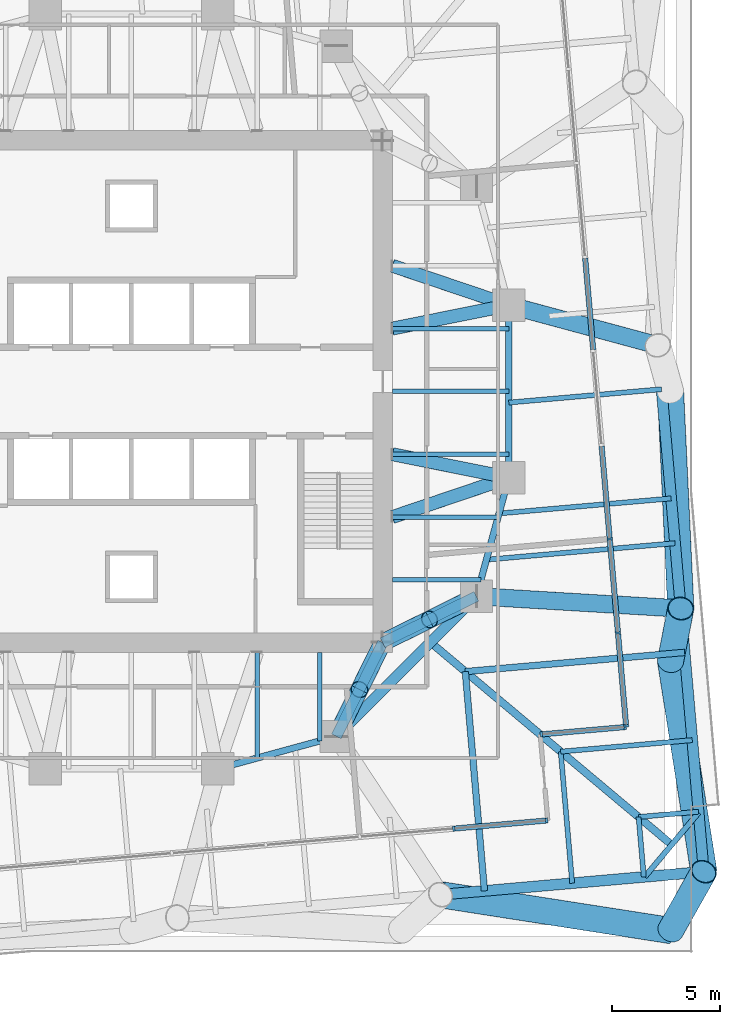
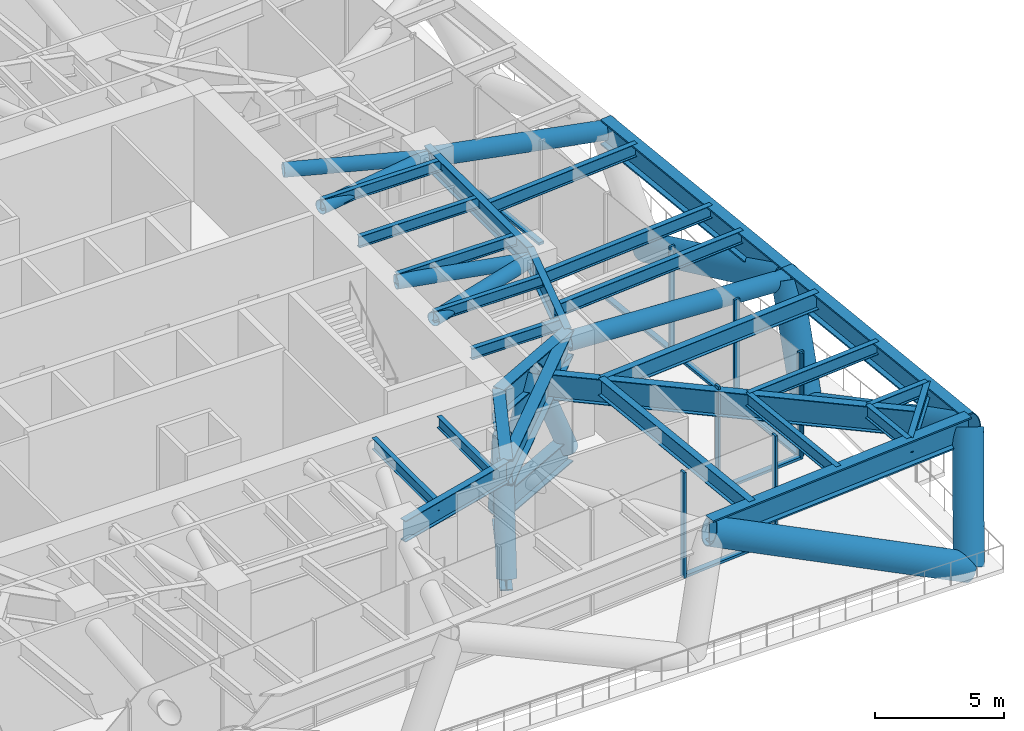
# One storey, part 4 of 14: 32 members, 25 beams, 3 elements without a shape of their own.
"""IFC4 building model written with IfcOpenShell, lengths in metres."""

from ifc_helpers import new_model, si_unit, direction, frame, origin, origin_2d, place, context, subcontext, project, spatial, rectangle, hollow_circle, i_section, extrude, material, material_profile, profile_set, type_object, element, aggregate, save


model = new_model("IFC4")

# Units and contexts
model_context = context("Model", 3, precision=1e-05, world=origin(), true_north=direction((0.0, 1.0)))
body_context = subcontext(model_context, "Body", "Model", "MODEL_VIEW")
ifc_project = project(units=[si_unit("LENGTHUNIT", "METRE"), si_unit("AREAUNIT", "SQUARE_METRE"), si_unit("VOLUMEUNIT", "CUBIC_METRE"), si_unit("PLANEANGLEUNIT", "RADIAN"), si_unit("MASSUNIT", "GRAM", prefix="KILO")], contexts=[model_context])

# Site, building, storey
site_placement = place(None, origin())
site = spatial("IfcSite", under=ifc_project, at=site_placement, CompositionType="ELEMENT")
building_placement = place(site_placement, origin())
building = spatial("IfcBuilding", under=site, at=building_placement, Name="Torsade Residences", CompositionType="ELEMENT")
storey_placement = place(building_placement, frame((0.0, 0.0, 42.199951171875)))
storey = spatial("IfcBuildingStorey", under=building, at=storey_placement, Name="L11", CompositionType="ELEMENT", Elevation=42.199951171875)

# Beams
ifc_material_1 = material(Name="Steel grade 300", Category="steel")
ifc_material_profile_1 = material_profile(ifc_material_1, i_section(OverallWidth=0.35009765625, OverallDepth=1.199951171875, WebThickness=0.01611328125, FlangeThickness=0.028076171875, at=origin_2d()), Name="1200WB278")
ifc_profile_set_1 = profile_set([ifc_material_profile_1], Name="Steel grade 300")
beam_type_1 = type_object("IfcBeamType", Name="CORNER GIRDER 1200WB278", PredefinedType="BEAM", material=ifc_profile_set_1)
beam_1_placement = place(storey_placement, frame((65.052490234375, 8.978515625, 4.25), z_axis=(-0.766046281307, 0.642785419012, 0.0), x_axis=(-0.642785419012, -0.766046281307, 0.0)))
element("IfcBeam", 1, at=beam_1_placement, inside=storey, type_object=beam_type_1, Name="Corner girder 05 L12", PredefinedType="BEAM", context=body_context, shape_type="SweptSolid", body=[
    extrude(i_section(OverallWidth=0.35009765625, OverallDepth=1.199951171875, WebThickness=0.01611328125, FlangeThickness=0.028076171875, at=origin_2d()), origin(), (0.0, 0.0, 1.0), 14.603515625),
])
ifc_material_2 = material(Name="Steel grade 300", Category="steel")
ifc_material_profile_2 = material_profile(ifc_material_2, i_section(OverallWidth=0.25, OverallDepth=0.699951171875, WebThickness=0.010009765625, FlangeThickness=0.02001953125, at=origin_2d()), Name="700WB130")
ifc_profile_set_2 = profile_set([ifc_material_profile_2], Name="Steel grade 300")
beam_type_2 = type_object("IfcBeamType", Name="CORNER TRIMMER 700WB130", PredefinedType="BEAM", material=ifc_profile_set_2)
beam_2_placement = place(storey_placement, frame((66.302490234375, 10.468017578125, 4.5), z_axis=(-0.642804819911, -0.766030001697, 0.0), x_axis=(0.766030001697, -0.642804819911, 0.0)))
element("IfcBeam", 2, at=beam_2_placement, inside=storey, type_object=beam_type_2, Name="Corner trimmer 05 L12", PredefinedType="BEAM", context=body_context, shape_type="SweptSolid", body=[
    extrude(i_section(OverallWidth=0.25, OverallDepth=0.699951171875, WebThickness=0.010009765625, FlangeThickness=0.02001953125, at=origin_2d()), origin(), (0.0, 0.0, 1.0), 3.88916015625),
])
ifc_material_3 = material(Name="Steel grade 300", Category="steel")
ifc_material_profile_3 = material_profile(ifc_material_3, i_section(OverallWidth=0.208984375, OverallDepth=0.528076171875, WebThickness=0.009521484375, FlangeThickness=0.01318359375, FilletRadius=0.013916015625, at=origin_2d()), Name="530UB82.0")
ifc_profile_set_3 = profile_set([ifc_material_profile_3], Name="Steel grade 300")
beam_type_3 = type_object("IfcBeamType", Name="INNER FLOOR BEAM 530UB82.0", PredefinedType="JOIST", material=ifc_profile_set_3)
beam_3_placement = place(storey_placement, frame((48.737548828125, 17.89990234375, 4.5859375), z_axis=(0.0, -1.0, 0.0), x_axis=(1.0, 0.0, 0.0)))
element("IfcBeam", 3, at=beam_3_placement, inside=storey, type_object=beam_type_3, Name="Inner floor beam IS01 L12", PredefinedType="JOIST", context=body_context, shape_type="SweptSolid", body=[
    extrude(i_section(OverallWidth=0.208984375, OverallDepth=0.528076171875, WebThickness=0.009521484375, FlangeThickness=0.01318359375, FilletRadius=0.013916015625, at=origin_2d()), origin(), (0.0, 0.0, 1.0), 4.10791015625),
])
beam_4_placement = place(storey_placement, frame((45.824951171875, 17.89990234375, 4.5859375), z_axis=(0.0, -1.0, 0.0), x_axis=(1.0, 0.0, 0.0)))
element("IfcBeam", 4, at=beam_4_placement, inside=storey, type_object=beam_type_3, Name="Inner floor beam IS02 L12", PredefinedType="JOIST", context=body_context, shape_type="SweptSolid", body=[
    extrude(i_section(OverallWidth=0.208984375, OverallDepth=0.528076171875, WebThickness=0.009521484375, FlangeThickness=0.01318359375, FilletRadius=0.013916015625, at=origin_2d()), origin(), (0.0, 0.0, 1.0), 4.902099609375),
])
beam_5_placement = place(storey_placement, frame((52.10009765625, 21.262451171875, 4.5859375), z_axis=(1.0, 0.0, 0.0), x_axis=(0.0, 1.0, 0.0)))
element("IfcBeam", 5, at=beam_5_placement, inside=storey, type_object=beam_type_3, Name="Inner floor beam IE01 L12", PredefinedType="JOIST", context=body_context, shape_type="SweptSolid", body=[
    extrude(i_section(OverallWidth=0.208984375, OverallDepth=0.528076171875, WebThickness=0.009521484375, FlangeThickness=0.01318359375, FilletRadius=0.013916015625, at=origin_2d()), origin(), (0.0, 0.0, 1.0), 4.10791015625),
])
beam_6_placement = place(storey_placement, frame((52.10009765625, 24.175048828125, 4.5859375), z_axis=(1.0, 0.0, 0.0), x_axis=(0.0, 1.0, 0.0)))
element("IfcBeam", 6, at=beam_6_placement, inside=storey, type_object=beam_type_3, Name="Inner floor beam IE02 L12", PredefinedType="JOIST", context=body_context, shape_type="SweptSolid", body=[
    extrude(i_section(OverallWidth=0.208984375, OverallDepth=0.528076171875, WebThickness=0.009521484375, FlangeThickness=0.01318359375, FilletRadius=0.013916015625, at=origin_2d()), origin(), (0.0, 0.0, 1.0), 4.902099609375),
])
for number, where, z_axis, x_axis, name in (
    (7, (52.10009765625, 27.08740234375, 4.5859375), (1.0, 0.0, 0.0), (0.0, 1.0, 0.0), "Inner floor beam IE03 L12"),
    (8, (52.10009765625, 30.0, 4.5859375), (1.0, 0.0, 0.0), (0.0, 1.0, 0.0), "Inner floor beam IE04 L12"),
    (9, (52.10009765625, 32.91259765625, 4.5859375), (1.0, 0.0, 0.0), (0.0, 1.0, 0.0), "Inner floor beam IE05 L12"),
):
    element("IfcBeam", number, at=place(storey_placement, frame(where, z_axis=z_axis, x_axis=x_axis)), inside=storey, type_object=beam_type_3, Name=name, PredefinedType="JOIST", context=body_context, shape_type="SweptSolid", body=[
        extrude(i_section(OverallWidth=0.208984375, OverallDepth=0.528076171875, WebThickness=0.009521484375, FlangeThickness=0.01318359375, FilletRadius=0.013916015625, at=origin_2d()), origin(), (0.0, 0.0, 1.0), 5.39990234375),
    ])

# Members
ifc_material_4 = material(Name="Steel grade 350", Category="steel")
ifc_material_profile_4 = material_profile(ifc_material_4, i_section(OverallWidth=0.5, OverallDepth=1.199951171875, WebThickness=0.031982421875, FlangeThickness=0.050048828125, at=origin_2d()), Name="1200x500x50x32WPG")
ifc_profile_set_4 = profile_set([ifc_material_profile_4], Name="Steel grade 350")
member_type_1 = type_object("IfcMemberType", Name="OUTRIGGER CHORD", PredefinedType="CHORD", material=ifc_profile_set_4)
for number, where, z_axis, x_axis, name in (
    (10, (51.64990234375, 18.35009765625, 4.25), (-0.443062937737, -0.896490509266, 0.0), (0.896490509266, -0.443062937737, 0.0), "Outrigger IR15 top chord L11"),
    (11, (51.64990234375, 18.35009765625, -0.75), (-0.443062937737, -0.896490509266, 0.0), (0.896490509266, -0.443062937737, 0.0), "Outrigger IR15 bottom chord L11"),
    (12, (51.64990234375, 18.35009765625, 4.25), (0.896490509266, 0.443062937737, 0.0), (-0.443062937737, 0.896490509266, 0.0), "Outrigger IR16 top chord L11"),
    (13, (51.64990234375, 18.35009765625, -0.75), (0.896490509266, 0.443062937737, 0.0), (-0.443062937737, 0.896490509266, 0.0), "Outrigger IR16 bottom chord L11"),
):
    element("IfcMember", number, at=place(storey_placement, frame(where, z_axis=z_axis, x_axis=x_axis)), inside=storey, type_object=member_type_1, Name=name, PredefinedType="CHORD", context=body_context, shape_type="SweptSolid", body=[
        extrude(i_section(OverallWidth=0.5, OverallDepth=1.199951171875, WebThickness=0.031982421875, FlangeThickness=0.050048828125, at=origin_2d()), origin(), (0.0, 0.0, 1.0), 4.852294921875),
    ])
ifc_material_5 = material(Name="Steel grade 450", Category="steel")
ifc_material_profile_5 = material_profile(ifc_material_5, hollow_circle(Radius=0.406494140625, WallThickness=0.02490234375, at=origin_2d()), Name="813.0x25.0CHS")
ifc_profile_set_5 = profile_set([ifc_material_profile_5], Name="Steel grade 450")
member_type_2 = type_object("IfcMemberType", Name="OUTRIGGER DIAGONAL", PredefinedType="BRACE", material=ifc_profile_set_5)
for number, where, z_axis, x_axis, name in (
    (14, (51.64990234375, 18.35009765625, -0.75), (-0.193421786849, -0.391368316838, 0.899677082595), (0.896490509266, -0.443062937737, 0.0), "Outrigger IR15 diagonal 1 L11"),
    (15, (49.5, 14.0, -0.75), (0.193421786849, 0.391368316838, 0.899677082595), (-0.896490509266, 0.443062937737, 0.0), "Outrigger IR15 diagonal 2 L11"),
    (16, (51.64990234375, 18.35009765625, -0.75), (0.391368316838, 0.193421786849, 0.899677082595), (-0.443062937737, 0.896490509266, 0.0), "Outrigger IR16 diagonal 1 L11"),
    (17, (56.0, 20.5, -0.75), (-0.391368316838, -0.193421786849, 0.899677082595), (0.443062937737, -0.896490509266, 0.0), "Outrigger IR16 diagonal 2 L11"),
):
    element("IfcMember", number, at=place(storey_placement, frame(where, z_axis=z_axis, x_axis=x_axis)), inside=storey, type_object=member_type_2, Name=name, PredefinedType="BRACE", context=body_context, shape_type="SweptSolid", body=[
        extrude(hollow_circle(Radius=0.406494140625, WallThickness=0.02490234375, at=origin_2d()), origin(), (0.0, 0.0, 1.0), 5.5576171875),
    ])

# Beams
ifc_material_6 = material(Name="Steel grade 300", Category="steel")
ifc_material_profile_6 = material_profile(ifc_material_6, i_section(OverallWidth=0.5, OverallDepth=1.199951171875, WebThickness=0.01611328125, FlangeThickness=0.0400390625, at=origin_2d()), Name="1200WB455")
ifc_profile_set_6 = profile_set([ifc_material_profile_6], Name="Steel grade 300")
beam_type_4 = type_object("IfcBeamType", Name="RING CORNER GIRDER 1200WB455", PredefinedType="BEAM", material=ifc_profile_set_6)
beam_7_placement = place(storey_placement, frame((49.5, 14.0, 4.25), z_axis=(0.707106781187, 0.707106781187, 0.0), x_axis=(-0.707106781187, 0.707106781187, 0.0)))
element("IfcBeam", 18, at=beam_7_placement, inside=storey, type_object=beam_type_4, Name="Ring girder IR15 L12", PredefinedType="BEAM", context=body_context, shape_type="SweptSolid", body=[
    extrude(i_section(OverallWidth=0.5, OverallDepth=1.199951171875, WebThickness=0.01611328125, FlangeThickness=0.0400390625, at=origin_2d()), origin(), (0.0, 0.0, 1.0), 9.1923828125),
])
ifc_material_7 = material(Name="Steel grade 300", Category="steel")
ifc_material_profile_7 = material_profile(ifc_material_7, i_section(OverallWidth=0.300048828125, OverallDepth=1.0, WebThickness=0.01611328125, FlangeThickness=0.028076171875, at=origin_2d()), Name="1000WB215")
ifc_profile_set_7 = profile_set([ifc_material_profile_7], Name="Steel grade 300")
beam_type_5 = type_object("IfcBeamType", Name="RING GIRDER 1000WB215", PredefinedType="BEAM", material=ifc_profile_set_7)
beam_8_placement = place(storey_placement, frame((57.5, 26.0, 4.35009765625), z_axis=(0.0, 1.0, 0.0), x_axis=(-1.0, 0.0, 0.0)))
element("IfcBeam", 19, at=beam_8_placement, inside=storey, type_object=beam_type_5, Name="Ring girder IR01 L12", PredefinedType="BEAM", context=body_context, shape_type="SweptSolid", body=[
    extrude(i_section(OverallWidth=0.300048828125, OverallDepth=1.0, WebThickness=0.01611328125, FlangeThickness=0.028076171875, at=origin_2d()), origin(), (0.0, 0.0, 1.0), 8.0),
])
for number, where, z_axis, x_axis, name in (
    (20, (44.0, 12.5, 4.35009765625), (0.964763821238, 0.263117405792, 0.0), (-0.263117405792, 0.964763821238, 0.0), "Ring girder IR14 L12"),
    (21, (56.0, 20.5, 4.35009765625), (0.263117405792, 0.964763821238, 0.0), (-0.964763821238, 0.263117405792, 0.0), "Ring girder IR16 L12"),
):
    element("IfcBeam", number, at=place(storey_placement, frame(where, z_axis=z_axis, x_axis=x_axis)), inside=storey, type_object=beam_type_5, Name=name, PredefinedType="BEAM", context=body_context, shape_type="SweptSolid", body=[
        extrude(i_section(OverallWidth=0.300048828125, OverallDepth=1.0, WebThickness=0.01611328125, FlangeThickness=0.028076171875, at=origin_2d()), origin(), (0.0, 0.0, 1.0), 5.700927734375),
    ])
ifc_material_8 = material(Name="Steel grade 300", Category="steel")
ifc_material_profile_8 = material_profile(ifc_material_8, i_section(OverallWidth=0.22900390625, OverallDepth=0.612060546875, WebThickness=0.011962890625, FlangeThickness=0.01953125, FilletRadius=0.013916015625, at=origin_2d()), Name="610UB125")
ifc_profile_set_8 = profile_set([ifc_material_profile_8], Name="Steel grade 300")
beam_type_6 = type_object("IfcBeamType", Name="SECONDARY BEAM 610UB125", PredefinedType="JOIST", material=ifc_profile_set_8)
beam_9_placement = place(storey_placement, frame((60.4404296875, 7.19482421875, 4.5439453125), z_axis=(-0.087174861801, 0.996193025206, 0.0), x_axis=(-0.996193025206, -0.087174861801, 0.0)))
element("IfcBeam", 22, at=beam_9_placement, inside=storey, type_object=beam_type_6, Name="Floor beam FS11 L12", PredefinedType="JOIST", context=body_context, shape_type="SweptSolid", body=[
    extrude(i_section(OverallWidth=0.22900390625, OverallDepth=0.612060546875, WebThickness=0.011962890625, FlangeThickness=0.01953125, FilletRadius=0.013916015625, at=origin_2d()), origin(), (0.0, 0.0, 1.0), 6.125),
])
for number, where, z_axis, x_axis, name in (
    (23, (63.760986328125, 7.4853515625, 4.5439453125), (-0.087105111923, 0.996199126418, 0.0), (-0.996199126418, -0.087105111923, 0.0), "Floor beam FS12 L12"),
    (24, (66.298828125, 10.509521484375, 4.5439453125), (-0.996199126418, -0.087105111923, 0.0), (0.087105111923, -0.996199126418, 0.0), "Floor beam FE01 L12"),
):
    element("IfcBeam", number, at=place(storey_placement, frame(where, z_axis=z_axis, x_axis=x_axis)), inside=storey, type_object=beam_type_6, Name=name, PredefinedType="JOIST", context=body_context, shape_type="SweptSolid", body=[
        extrude(i_section(OverallWidth=0.22900390625, OverallDepth=0.612060546875, WebThickness=0.011962890625, FlangeThickness=0.01953125, FilletRadius=0.013916015625, at=origin_2d()), origin(), (0.0, 0.0, 1.0), 2.79150390625),
    ])
beam_10_placement = place(storey_placement, frame((66.00830078125, 13.830322265625, 4.5439453125), z_axis=(-0.996193328106, -0.087171400335, 0.0), x_axis=(0.087171400335, -0.996193328106, 0.0)))
element("IfcBeam", 25, at=beam_10_placement, inside=storey, type_object=beam_type_6, Name="Floor beam FE02 L12", PredefinedType="JOIST", context=body_context, shape_type="SweptSolid", body=[
    extrude(i_section(OverallWidth=0.22900390625, OverallDepth=0.612060546875, WebThickness=0.011962890625, FlangeThickness=0.01953125, FilletRadius=0.013916015625, at=origin_2d()), origin(), (0.0, 0.0, 1.0), 6.125244140625),
])
beam_11_placement = place(storey_placement, frame((65.209228515625, 22.9619140625, 4.5439453125), z_axis=(-0.996195588568, -0.087145563964, 0.0), x_axis=(0.087145563964, -0.996195588568, 0.0)))
element("IfcBeam", 26, at=beam_11_placement, inside=storey, type_object=beam_type_6, Name="Floor beam FE04 L12", PredefinedType="JOIST", context=body_context, shape_type="SweptSolid", body=[
    extrude(i_section(OverallWidth=0.22900390625, OverallDepth=0.612060546875, WebThickness=0.011962890625, FlangeThickness=0.01953125, FilletRadius=0.013916015625, at=origin_2d()), origin(), (0.0, 0.0, 1.0), 8.780029296875),
])
beam_12_placement = place(storey_placement, frame((65.02783203125, 25.037353515625, 4.5439453125), z_axis=(-0.996194478268, -0.087158255311, 0.0), x_axis=(0.087158255311, -0.996194478268, 0.0)))
element("IfcBeam", 27, at=beam_12_placement, inside=storey, type_object=beam_type_6, Name="Floor beam FE05 L12", PredefinedType="JOIST", context=body_context, shape_type="SweptSolid", body=[
    extrude(i_section(OverallWidth=0.22900390625, OverallDepth=0.612060546875, WebThickness=0.011962890625, FlangeThickness=0.01953125, FilletRadius=0.013916015625, at=origin_2d()), origin(), (0.0, 0.0, 1.0), 8.01123046875),
])
beam_13_placement = place(storey_placement, frame((64.584716796875, 30.101318359375, 4.5439453125), z_axis=(-0.996197182094, -0.087127345813, 0.0), x_axis=(0.087127345813, -0.996197182094, 0.0)))
element("IfcBeam", 28, at=beam_13_placement, inside=storey, type_object=beam_type_6, Name="Floor beam FE06 L12", PredefinedType="JOIST", context=body_context, shape_type="SweptSolid", body=[
    extrude(i_section(OverallWidth=0.22900390625, OverallDepth=0.612060546875, WebThickness=0.011962890625, FlangeThickness=0.01953125, FilletRadius=0.013916015625, at=origin_2d()), origin(), (0.0, 0.0, 1.0), 7.11181640625),
])
ifc_material_9 = material(Name="Steel grade 300", Category="steel")
ifc_material_profile_9 = material_profile(ifc_material_9, i_section(OverallWidth=0.300048828125, OverallDepth=0.800048828125, WebThickness=0.010009765625, FlangeThickness=0.02001953125, at=origin_2d()), Name="800WB146")
ifc_profile_set_9 = profile_set([ifc_material_profile_9], Name="Steel grade 300")
beam_type_7 = type_object("IfcBeamType", Name="SECONDARY BEAM 800WB146", PredefinedType="JOIST", material=ifc_profile_set_9)
for number, where, z_axis, x_axis, name in (
    (29, (56.37255859375, 6.8388671875, 4.449951171875), (-0.087149742944, 0.996195222988, 0.0), (-0.996195222988, -0.087149742944, 0.0), "Floor beam FS10 L12"),
    (30, (65.65234375, 17.89794921875, 4.449951171875), (-0.996195222988, -0.087149742944, 0.0), (0.087149742944, -0.996195222988, 0.0), "Floor beam FE03 L12"),
):
    element("IfcBeam", number, at=place(storey_placement, frame(where, z_axis=z_axis, x_axis=x_axis)), inside=storey, type_object=beam_type_7, Name=name, PredefinedType="JOIST", context=body_context, shape_type="SweptSolid", body=[
        extrude(i_section(OverallWidth=0.300048828125, OverallDepth=0.800048828125, WebThickness=0.010009765625, FlangeThickness=0.02001953125, at=origin_2d()), origin(), (0.0, 0.0, 1.0), 10.208251953125),
    ])

# Members
ifc_material_10 = material(Name="Steel grade 450", Category="steel")
ifc_material_profile_10 = material_profile(ifc_material_10, hollow_circle(Radius=0.304931640625, WallThickness=0.01611328125, at=origin_2d()), Name="610.0x16.0CHS")
ifc_profile_set_10 = profile_set([ifc_material_profile_10], Name="Steel grade 450")
member_type_3 = type_object("IfcMemberType", Name="TRANSFER FLOOR BRACE 610.0x16.0CHS", PredefinedType="BRACE", material=ifc_profile_set_10)
member_1_placement = place(storey_placement, frame((57.5, 26.0, 4.25), z_axis=(-0.97976207845, 0.197299045909, 0.03375434957), x_axis=(-0.197411538983, -0.980320704809, 0.0)))
element("IfcMember", 31, at=member_1_placement, inside=storey, type_object=member_type_3, Name="Transfer floor brace TT1 top IR01IE03", PredefinedType="BRACE", context=body_context, shape_type="SweptSolid", body=[
    extrude(hollow_circle(Radius=0.304931640625, WallThickness=0.01611328125, at=origin_2d()), origin(), (0.0, 0.0, 1.0), 5.511474609375),
])
member_2_placement = place(storey_placement, frame((57.5, 26.0, 4.25), z_axis=(-0.946855969774, -0.319999474368, 0.032620682203), x_axis=(0.320169867513, -0.947360151124, 0.0)))
element("IfcMember", 32, at=member_2_placement, inside=storey, type_object=member_type_3, Name="Transfer floor brace TT1 top IR01IE02", PredefinedType="BRACE", context=body_context, shape_type="SweptSolid", body=[
    extrude(hollow_circle(Radius=0.304931640625, WallThickness=0.01611328125, at=origin_2d()), origin(), (0.0, 0.0, 1.0), 5.702880859375),
])
member_3_placement = place(storey_placement, frame((57.5, 34.0, 4.25), z_axis=(-0.97976207845, -0.197299045909, 0.03375434957), x_axis=(0.197411538983, -0.980320704809, 0.0)))
element("IfcMember", 33, at=member_3_placement, inside=storey, type_object=member_type_3, Name="Transfer floor brace TT1 top IR02IE05", PredefinedType="BRACE", context=body_context, shape_type="SweptSolid", body=[
    extrude(hollow_circle(Radius=0.304931640625, WallThickness=0.01611328125, at=origin_2d()), origin(), (0.0, 0.0, 1.0), 5.511474609375),
])
member_4_placement = place(storey_placement, frame((57.5, 34.0, 4.25), z_axis=(-0.946855969774, 0.319999474368, 0.032620682203), x_axis=(-0.320169867513, -0.947360151124, 0.0)))
element("IfcMember", 34, at=member_4_placement, inside=storey, type_object=member_type_3, Name="Transfer floor brace TT1 top IR02IE06", PredefinedType="BRACE", context=body_context, shape_type="SweptSolid", body=[
    extrude(hollow_circle(Radius=0.304931640625, WallThickness=0.01611328125, at=origin_2d()), origin(), (0.0, 0.0, 1.0), 5.702880859375),
])
ifc_material_11 = material(Name="Steel grade 450", Category="steel")
ifc_material_profile_11 = material_profile(ifc_material_11, hollow_circle(Radius=0.406494140625, WallThickness=0.02490234375, at=origin_2d()), Name="813.0x25.0CHS")
ifc_profile_set_11 = profile_set([ifc_material_profile_11], Name="Steel grade 450")
member_type_4 = type_object("IfcMemberType", Name="TRANSFER FLOOR STRUT 813.0x25.0CHS", PredefinedType="STRUT", material=ifc_profile_set_11)
member_5_placement = place(storey_placement, frame((65.474365234375, 19.931884765625, 4.25), z_axis=(-0.998207028485, 0.05985589598, 0.0), x_axis=(-0.05985589598, -0.998207028485, 0.0)))
element("IfcMember", 35, at=member_5_placement, inside=storey, type_object=member_type_4, Name="Transfer floor strut TT1 top 06IR16", PredefinedType="STRUT", context=body_context, shape_type="SweptSolid", body=[
    extrude(hollow_circle(Radius=0.406494140625, WallThickness=0.02490234375, at=origin_2d()), origin(), (0.0, 0.0, 1.0), 9.491455078125),
])
member_6_placement = place(storey_placement, frame((64.40673828125, 32.13525390625, 4.25), z_axis=(-0.965431658918, 0.260656310032, 0.0), x_axis=(-0.260656310032, -0.965431658918, 0.0)))
element("IfcMember", 36, at=member_6_placement, inside=storey, type_object=member_type_4, Name="Transfer floor strut TT1 top 07IR02", PredefinedType="STRUT", context=body_context, shape_type="SweptSolid", body=[
    extrude(hollow_circle(Radius=0.406494140625, WallThickness=0.02490234375, at=origin_2d()), origin(), (0.0, 0.0, 1.0), 7.154052734375),
])

# Curtain wall, members
ifc_material_12 = material(Name="Aluminium and glass", Category="aluminium")
curtain_wall_type = type_object("IfcCurtainWallType", Name="TRANSFER LEVEL CURTAIN WALL LOW ZONE", PredefinedType="NOTDEFINED", material=ifc_material_12)
curtain_wall_1_placement = place(storey_placement, origin())
curtain_wall_1 = element("IfcCurtainWall", 37, at=curtain_wall_1_placement, inside=storey, type_object=curtain_wall_type, Name="Curtain wall L11 face 1", PredefinedType="NOTDEFINED")
ifc_material_13 = material(Name="Aluminium mullion", Category="aluminium")
ifc_material_profile_12 = material_profile(ifc_material_13, rectangle(XDim=0.25, YDim=0.10009765625, at=origin_2d()), Name="TRANSFER LEVEL CURTAIN WALL MULLION 250x100")
ifc_profile_set_12 = profile_set([ifc_material_profile_12], Name="Aluminium mullion")
member_type_5 = type_object("IfcMemberType", Name="TRANSFER LEVEL CURTAIN WALL MULLION 250x100", PredefinedType="MULLION", material=ifc_profile_set_12)
member_7_placement = place(storey_placement, frame((54.948974609375, 9.725830078125, 0.0), z_axis=(0.0, 0.0, 1.0), x_axis=(-0.087155741444, 0.996194698206, 0.0)))
member_7 = element("IfcMember", 38, at=member_7_placement, type_object=member_type_5, Name="Mullion 8", PredefinedType="MULLION", context=body_context, shape_type="SweptSolid", body=[
    extrude(rectangle(XDim=0.25, YDim=0.10009765625, at=origin_2d()), origin(), (0.0, 0.0, 1.0), 5.0),
])
member_8_placement = place(storey_placement, frame((59.25732421875, 10.102783203125, 0.0), z_axis=(0.0, 0.0, 1.0), x_axis=(-0.087155741444, 0.996194698206, 0.0)))
member_8 = element("IfcMember", 39, at=member_8_placement, type_object=member_type_5, Name="Mullion 9", PredefinedType="MULLION", context=body_context, shape_type="SweptSolid", body=[
    extrude(rectangle(XDim=0.25, YDim=0.10009765625, at=origin_2d()), origin(), (0.0, 0.0, 1.0), 5.0),
])

curtain_wall_2_placement = place(storey_placement, origin())
curtain_wall_2 = element("IfcCurtainWall", 40, at=curtain_wall_2_placement, inside=storey, type_object=curtain_wall_type, Name="Curtain wall L11 face 3", PredefinedType="NOTDEFINED")
member_9_placement = place(storey_placement, frame((59.008544921875, 14.09619140625, 0.0), z_axis=(0.0, 0.0, 1.0), x_axis=(-0.087155745443, 0.996194697856, 0.0)))
member_9 = element("IfcMember", 41, at=member_9_placement, type_object=member_type_5, Name="Mullion 1", PredefinedType="MULLION", context=body_context, shape_type="SweptSolid", body=[
    extrude(rectangle(XDim=0.25, YDim=0.10009765625, at=origin_2d()), origin(), (0.0, 0.0, 1.0), 5.0),
])
member_10_placement = place(storey_placement, frame((62.8935546875, 14.43603515625, 0.0), z_axis=(0.0, 0.0, 1.0), x_axis=(-0.087155745443, 0.996194697856, 0.0)))
member_10 = element("IfcMember", 42, at=member_10_placement, type_object=member_type_5, Name="Mullion 2", PredefinedType="MULLION", context=body_context, shape_type="SweptSolid", body=[
    extrude(rectangle(XDim=0.25, YDim=0.10009765625, at=origin_2d()), origin(), (0.0, 0.0, 1.0), 5.0),
])

curtain_wall_3_placement = place(storey_placement, origin())
curtain_wall_3 = element("IfcCurtainWall", 43, at=curtain_wall_3_placement, inside=storey, type_object=curtain_wall_type, Name="Curtain wall L11 face 4", PredefinedType="NOTDEFINED")
member_11_placement = place(storey_placement, frame((62.93896484375, 14.490234375, 0.0), z_axis=(0.0, 0.0, 1.0), x_axis=(-0.996194698206, -0.087155741444, 0.0)))
member_11 = element("IfcMember", 44, at=member_11_placement, type_object=member_type_5, Name="Mullion 1", PredefinedType="MULLION", context=body_context, shape_type="SweptSolid", body=[
    extrude(rectangle(XDim=0.25, YDim=0.10009765625, at=origin_2d()), origin(), (0.0, 0.0, 1.0), 5.0),
])
member_12_placement = place(storey_placement, frame((62.56201171875, 18.798828125, 0.0), z_axis=(0.0, 0.0, 1.0), x_axis=(-0.996194698206, -0.087155741444, 0.0)))
member_12 = element("IfcMember", 45, at=member_12_placement, type_object=member_type_5, Name="Mullion 2", PredefinedType="MULLION", context=body_context, shape_type="SweptSolid", body=[
    extrude(rectangle(XDim=0.25, YDim=0.10009765625, at=origin_2d()), origin(), (0.0, 0.0, 1.0), 5.0),
])
member_13_placement = place(storey_placement, frame((62.180908203125, 23.1572265625, 0.0), z_axis=(0.0, 0.0, 1.0), x_axis=(-0.996194698206, -0.087155741444, 0.0)))
member_13 = element("IfcMember", 46, at=member_13_placement, type_object=member_type_5, Name="Mullion 3", PredefinedType="MULLION", context=body_context, shape_type="SweptSolid", body=[
    extrude(rectangle(XDim=0.25, YDim=0.10009765625, at=origin_2d()), origin(), (0.0, 0.0, 1.0), 5.0),
])

# Member
ifc_material_14 = material(Name="Aluminium transom", Category="aluminium")
ifc_material_profile_13 = material_profile(ifc_material_14, rectangle(XDim=0.25, YDim=0.1201171875, at=origin_2d()), Name="TRANSFER LEVEL CURTAIN WALL TRANSOM 250x120")
ifc_profile_set_13 = profile_set([ifc_material_profile_13], Name="Aluminium transom")
member_type_6 = type_object("IfcMemberType", Name="TRANSFER LEVEL CURTAIN WALL TRANSOM 250x120", PredefinedType="USERDEFINED", material=ifc_profile_set_13)
member_14_placement = place(storey_placement, frame((54.998779296875, 9.72998046875, 0.06005859375), z_axis=(0.996190768882, 0.087200642163, 0.0), x_axis=(-0.087200642163, 0.996190768882, 0.0)))
member_14 = element("IfcMember", 47, at=member_14_placement, type_object=member_type_6, Name="Transom 8.1", ObjectType="TRANSOM", PredefinedType="USERDEFINED", context=body_context, shape_type="SweptSolid", body=[
    extrude(rectangle(XDim=0.25, YDim=0.1201171875, at=origin_2d()), origin(), (0.0, 0.0, 1.0), 4.224853515625),
])

aggregate(curtain_wall_1, [member_7, member_8, member_14])

member_15_placement = place(storey_placement, frame((59.058349609375, 14.1005859375, 0.06005859375), z_axis=(0.996197552209, 0.087123113886, 0.0), x_axis=(-0.087123113886, 0.996197552209, 0.0)))
member_15 = element("IfcMember", 48, at=member_15_placement, type_object=member_type_6, Name="Transom 1.1", ObjectType="TRANSOM", PredefinedType="USERDEFINED", context=body_context, shape_type="SweptSolid", body=[
    extrude(rectangle(XDim=0.25, YDim=0.1201171875, at=origin_2d()), origin(), (0.0, 0.0, 1.0), 3.7998046875),
])

aggregate(curtain_wall_2, [member_9, member_10, member_15])

member_16_placement = place(storey_placement, frame((62.934814453125, 14.5400390625, 0.06005859375), z_axis=(-0.087195622579, 0.996191208254, 0.0), x_axis=(-0.996191208254, -0.087195622579, 0.0)))
member_16 = element("IfcMember", 49, at=member_16_placement, type_object=member_type_6, Name="Transom 1.1", ObjectType="TRANSOM", PredefinedType="USERDEFINED", context=body_context, shape_type="SweptSolid", body=[
    extrude(rectangle(XDim=0.25, YDim=0.1201171875, at=origin_2d()), origin(), (0.0, 0.0, 1.0), 4.22509765625),
])

member_17_placement = place(storey_placement, frame((62.557861328125, 18.8486328125, 0.06005859375), z_axis=(-0.087203788325, 0.996190493481, 0.0), x_axis=(-0.996190493481, -0.087203788325, 0.0)))
member_17 = element("IfcMember", 50, at=member_17_placement, type_object=member_type_6, Name="Transom 2.1", ObjectType="TRANSOM", PredefinedType="USERDEFINED", context=body_context, shape_type="SweptSolid", body=[
    extrude(rectangle(XDim=0.25, YDim=0.1201171875, at=origin_2d()), origin(), (0.0, 0.0, 1.0), 4.275146484375),
])

member_18_placement = place(storey_placement, frame((62.176513671875, 23.20703125, 0.06005859375), z_axis=(-0.087152072424, 0.996195019197, 0.0), x_axis=(-0.996195019197, -0.087152072424, 0.0)))
member_18 = element("IfcMember", 51, at=member_18_placement, type_object=member_type_6, Name="Transom 3.1", ObjectType="TRANSOM", PredefinedType="USERDEFINED", context=body_context, shape_type="SweptSolid", body=[
    extrude(rectangle(XDim=0.25, YDim=0.1201171875, at=origin_2d()), origin(), (0.0, 0.0, 1.0), 4.27490234375),
])

member_19_placement = place(storey_placement, frame((61.413818359375, 31.923583984375, 0.06005859375), z_axis=(-0.087147114263, 0.996195452949, 0.0), x_axis=(-0.996195452949, -0.087147114263, 0.0)))
member_19 = element("IfcMember", 52, at=member_19_placement, type_object=member_type_6, Name="Transom 5.1", ObjectType="TRANSOM", PredefinedType="USERDEFINED", context=body_context, shape_type="SweptSolid", body=[
    extrude(rectangle(XDim=0.25, YDim=0.1201171875, at=origin_2d()), origin(), (0.0, 0.0, 1.0), 4.275146484375),
])

aggregate(curtain_wall_3, [member_11, member_12, member_13, member_16, member_17, member_18, member_19])

# Beams
ifc_material_15 = material(Name="Steel grade 350", Category="steel")
ifc_material_profile_14 = material_profile(ifc_material_15, i_section(OverallWidth=0.5, OverallDepth=1.199951171875, WebThickness=0.0400390625, FlangeThickness=0.070068359375, at=origin_2d()), Name="1200x500x70x40WPG")
ifc_profile_set_14 = profile_set([ifc_material_profile_14], Name="Steel grade 350")
beam_type_8 = type_object("IfcBeamType", Name="TRANSFER TRUSS CHORD 1200x500x70x40WPG", PredefinedType="USERDEFINED", material=ifc_profile_set_14)
for number, where, z_axis, x_axis, name in (
    (53, (54.338623046875, 6.660888671875, 4.25), (0.996194907201, 0.08715335259, 0.0), (-0.08715335259, 0.996194907201, 0.0), "Transfer truss TT1 top chord 04"),
    (54, (66.5419921875, 7.728515625, 4.25), (-0.08715335259, 0.996194907201, 0.0), (-0.996194907201, -0.08715335259, 0.0), "Transfer truss TT1 top chord 05"),
    (55, (65.474365234375, 19.931884765625, 4.25), (-0.08715335259, 0.996194907201, 0.0), (-0.996194907201, -0.08715335259, 0.0), "Transfer truss TT1 top chord 06"),
):
    element("IfcBeam", number, at=place(storey_placement, frame(where, z_axis=z_axis, x_axis=x_axis)), inside=storey, type_object=beam_type_8, Name=name, ObjectType="TRANSFER TRUSS CHORD", PredefinedType="USERDEFINED", context=body_context, shape_type="SweptSolid", body=[
        extrude(i_section(OverallWidth=0.5, OverallDepth=1.199951171875, WebThickness=0.0400390625, FlangeThickness=0.070068359375, at=origin_2d()), origin(), (0.0, 0.0, 1.0), 12.25),
    ])

# Members
ifc_material_16 = material(Name="Steel grade 450", Category="steel")
ifc_material_profile_15 = material_profile(ifc_material_16, hollow_circle(Radius=0.609619140625, WallThickness=0.0400390625, at=origin_2d()), Name="1219.0x40.0CHS")
ifc_profile_set_15 = profile_set([ifc_material_profile_15], Name="Steel grade 450")
member_type_7 = type_object("IfcMemberType", Name="TRANSFER TRUSS DIAGONAL 1219.0x40.0CHS", PredefinedType="BRACE", material=ifc_profile_set_15)
member_20_placement = place(storey_placement, frame((65.0, 5.0, -0.199951171875), z_axis=(-0.913448304114, 0.142302063544, 0.381264105867), x_axis=(-0.153928904758, -0.988081925895, 0.0)))
element("IfcMember", 56, at=member_20_placement, inside=storey, type_object=member_type_7, Name="Transfer truss TT1 diagonal 04", PredefinedType="BRACE", context=body_context, shape_type="SweptSolid", body=[
    extrude(hollow_circle(Radius=0.609619140625, WallThickness=0.0400390625, at=origin_2d()), origin(), (0.0, 0.0, 1.0), 11.671630859375),
])
member_21_placement = place(storey_placement, frame((65.0, 17.5, -0.199951171875), z_axis=(0.142155802497, -0.900830246855, 0.410239678928), x_axis=(0.987776568704, 0.155876394362, 0.0)))
element("IfcMember", 57, at=member_21_placement, inside=storey, type_object=member_type_7, Name="Transfer truss TT1 diagonal 05", PredefinedType="BRACE", context=body_context, shape_type="SweptSolid", body=[
    extrude(hollow_circle(Radius=0.609619140625, WallThickness=0.0400390625, at=origin_2d()), origin(), (0.0, 0.0, 1.0), 10.84716796875),
])
member_22_placement = place(storey_placement, frame((65.0, 30.0, -0.199951171875), z_axis=(0.043054067178, -0.913796539554, 0.403883933326), x_axis=(0.998891904916, 0.047063385903, 0.0)))
element("IfcMember", 58, at=member_22_placement, inside=storey, type_object=member_type_7, Name="Transfer truss TT1 diagonal 06", PredefinedType="BRACE", context=body_context, shape_type="SweptSolid", body=[
    extrude(hollow_circle(Radius=0.609619140625, WallThickness=0.0400390625, at=origin_2d()), origin(), (0.0, 0.0, 1.0), 11.017822265625),
])
ifc_material_17 = material(Name="Steel grade 450", Category="steel")
ifc_material_profile_16 = material_profile(ifc_material_17, hollow_circle(Radius=0.609619140625, WallThickness=0.0400390625, at=origin_2d()), Name="1219.0x40.0CHS")
ifc_profile_set_16 = profile_set([ifc_material_profile_16], Name="Steel grade 450")
member_type_8 = type_object("IfcMemberType", Name="TRANSFER TRUSS RAKING STRUT 1219.0x40.0CHS", PredefinedType="STRUT", material=ifc_profile_set_16)
member_23_placement = place(storey_placement, frame((65.0, 5.0, -0.199951171875), z_axis=(0.283306086483, 0.501302853473, 0.817577586815), x_axis=(-0.87059185378, 0.492005918797, 0.0)))
element("IfcMember", 59, at=member_23_placement, inside=storey, type_object=member_type_8, Name="Transfer truss TT1 raking strut 05", PredefinedType="STRUT", context=body_context, shape_type="SweptSolid", body=[
    extrude(hollow_circle(Radius=0.609619140625, WallThickness=0.0400390625, at=origin_2d()), origin(), (0.0, 0.0, 1.0), 5.44287109375),
])
member_24_placement = place(storey_placement, frame((65.0, 17.5, -0.199951171875), z_axis=(0.093136138788, 0.477472505643, 0.87369655259), x_axis=(-0.981501883668, 0.191452480671, 0.0)))
element("IfcMember", 60, at=member_24_placement, inside=storey, type_object=member_type_8, Name="Transfer truss TT1 raking strut 06", PredefinedType="STRUT", context=body_context, shape_type="SweptSolid", body=[
    extrude(hollow_circle(Radius=0.609619140625, WallThickness=0.0400390625, at=origin_2d()), origin(), (0.0, 0.0, 1.0), 5.09326171875),
])

save(model, "model.ifc")
